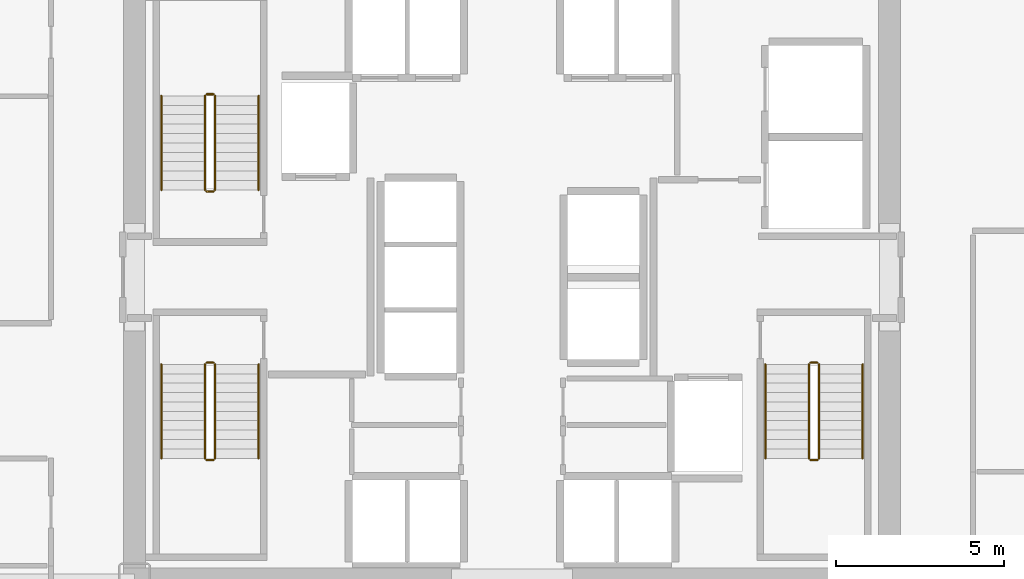
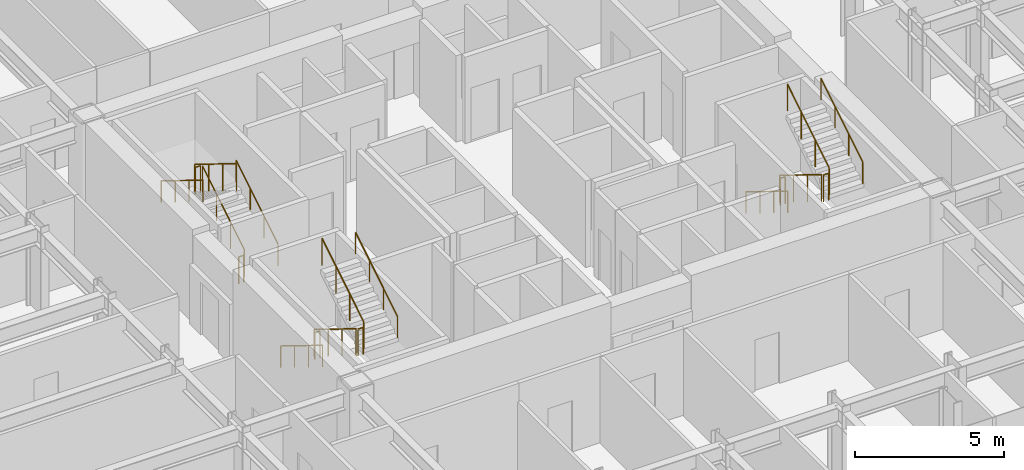
# One storey, part 25 of 25: 18 railings.
"""IFC4 building model written with IfcOpenShell, lengths in metres."""

from ifc_helpers import new_model, si_unit, direction, frame, origin, origin_2d, place, context, subcontext, project, spatial, circle, extrude, material, type_object, element, save


model = new_model("IFC4")

# Units and contexts
model_context = context("Model", 3, precision=1e-05, world=origin(), true_north=direction((0.0, 1.0)))
body_context = subcontext(model_context, "Body", "Model", "MODEL_VIEW")
ifc_project = project(units=[si_unit("LENGTHUNIT", "METRE"), si_unit("AREAUNIT", "SQUARE_METRE"), si_unit("VOLUMEUNIT", "CUBIC_METRE"), si_unit("PLANEANGLEUNIT", "RADIAN"), si_unit("MASSUNIT", "GRAM", prefix="KILO")], contexts=[model_context])

# Site, building, storey
site_placement = place(None, origin())
site = spatial("IfcSite", under=ifc_project, at=site_placement, CompositionType="ELEMENT")
building_placement = place(site_placement, origin())
building = spatial("IfcBuilding", under=site, at=building_placement, Name="Nefas-Gora Pilgrimage Tower", CompositionType="ELEMENT")
storey_placement = place(building_placement, frame((0.0, 0.0, 71.0)))
storey = spatial("IfcBuildingStorey", under=building, at=storey_placement, Name="L16", CompositionType="ELEMENT", Elevation=71.0)

# Railings
ifc_material_1 = material(Name="Painted galvanised steel", Category="steel")
railing_type_1 = type_object("IfcRailingType", Name="RLG-STR-GUARD-1100", PredefinedType="GUARDRAIL", material=ifc_material_1)
railing_1_placement = place(storey_placement, frame((-8.85009765625, 2.60009765625, 0.172607421875)))
element("IfcRailing", 1, at=railing_1_placement, inside=storey, type_object=railing_type_1, Name="L16 ST-01 stair guard 1", PredefinedType="GUARDRAIL", context=body_context, shape_type="SweptSolid", body=[
    extrude(circle(Radius=0.02392578125, at=origin_2d()), frame((0.0, 0.0, 1.09619140625), z_axis=(0.0, 0.851069175582, 0.525053576669), x_axis=(-1.0, 0.0, 0.0)), (0.0, 0.0, 1.0), 3.289794921875),
    extrude(circle(Radius=0.02099609375, at=origin_2d()), origin(), (0.0, 0.0, 1.0), 1.072021484375),
    extrude(circle(Radius=0.02099609375, at=origin_2d()), frame((0.0, 0.933349609375, 0.57568359375)), (0.0, 0.0, 1.0), 1.072021484375),
    extrude(circle(Radius=0.02099609375, at=origin_2d()), frame((0.0, 1.866455078125, 1.151611328125)), (0.0, 0.0, 1.0), 1.072021484375),
    extrude(circle(Radius=0.02099609375, at=origin_2d()), frame((0.0, 2.7998046875, 1.727294921875)), (0.0, 0.0, 1.0), 1.072021484375),
])
railing_2_placement = place(storey_placement, frame((-8.89990234375, 5.449951171875, 1.89990234375)))
element("IfcRailing", 2, at=railing_2_placement, inside=storey, type_object=railing_type_1, Name="L16 ST-01 stair guard 2", PredefinedType="GUARDRAIL", context=body_context, shape_type="SweptSolid", body=[
    extrude(circle(Radius=0.02392578125, at=origin_2d()), frame((0.0, 0.0, 1.09619140625), z_axis=(-1.0, 0.0, 0.0), x_axis=(0.0, -1.0, 0.0)), (0.0, 0.0, 1.0), 0.2001953125),
    extrude(circle(Radius=0.02099609375, at=origin_2d()), origin(), (0.0, 0.0, 1.0), 1.072021484375),
    extrude(circle(Radius=0.02099609375, at=origin_2d()), frame((-0.2001953125, 0.0, 0.0)), (0.0, 0.0, 1.0), 1.072021484375),
])
railing_3_placement = place(storey_placement, frame((-9.14990234375, 5.39990234375, 2.07275390625)))
element("IfcRailing", 3, at=railing_3_placement, inside=storey, type_object=railing_type_1, Name="L16 ST-01 stair guard 3", PredefinedType="GUARDRAIL", context=body_context, shape_type="SweptSolid", body=[
    extrude(circle(Radius=0.02392578125, at=origin_2d()), frame((0.0, 0.0, 1.09619140625), z_axis=(0.0, -0.851069175582, 0.525053576669), x_axis=(1.0, 0.0, 0.0)), (0.0, 0.0, 1.0), 3.289794921875),
    extrude(circle(Radius=0.02099609375, at=origin_2d()), origin(), (0.0, 0.0, 1.0), 1.072021484375),
    extrude(circle(Radius=0.02099609375, at=origin_2d()), frame((0.0, -0.933349609375, 0.57568359375)), (0.0, 0.0, 1.0), 1.072021484375),
    extrude(circle(Radius=0.02099609375, at=origin_2d()), frame((0.0, -1.866455078125, 1.151611328125)), (0.0, 0.0, 1.0), 1.072021484375),
    extrude(circle(Radius=0.02099609375, at=origin_2d()), frame((0.0, -2.7998046875, 1.727294921875)), (0.0, 0.0, 1.0), 1.072021484375),
])
railing_4_placement = place(storey_placement, frame((-8.89990234375, 2.550048828125, 0.0)))
element("IfcRailing", 4, at=railing_4_placement, inside=storey, type_object=railing_type_1, Name="L16 ST-01 stair guard 4", PredefinedType="GUARDRAIL", context=body_context, shape_type="SweptSolid", body=[
    extrude(circle(Radius=0.02392578125, at=origin_2d()), frame((0.0, 0.0, 1.09619140625), z_axis=(-1.0, 0.0, 0.0), x_axis=(0.0, -1.0, 0.0)), (0.0, 0.0, 1.0), 0.2001953125),
    extrude(circle(Radius=0.02099609375, at=origin_2d()), origin(), (0.0, 0.0, 1.0), 1.072021484375),
    extrude(circle(Radius=0.02099609375, at=origin_2d()), frame((-0.2001953125, 0.0, 0.0)), (0.0, 0.0, 1.0), 1.072021484375),
])
railing_5_placement = place(storey_placement, frame((8.85009765625, -2.60009765625, 0.172607421875)))
element("IfcRailing", 5, at=railing_5_placement, inside=storey, type_object=railing_type_1, Name="L16 ST-02 stair guard 1", PredefinedType="GUARDRAIL", context=body_context, shape_type="SweptSolid", body=[
    extrude(circle(Radius=0.02392578125, at=origin_2d()), frame((0.0, 0.0, 1.09619140625), z_axis=(0.0, -0.851069175582, 0.525053576669), x_axis=(1.0, 0.0, 0.0)), (0.0, 0.0, 1.0), 3.289794921875),
    extrude(circle(Radius=0.02099609375, at=origin_2d()), origin(), (0.0, 0.0, 1.0), 1.072021484375),
    extrude(circle(Radius=0.02099609375, at=origin_2d()), frame((0.0, -0.933349609375, 0.57568359375)), (0.0, 0.0, 1.0), 1.072021484375),
    extrude(circle(Radius=0.02099609375, at=origin_2d()), frame((0.0, -1.866455078125, 1.151611328125)), (0.0, 0.0, 1.0), 1.072021484375),
    extrude(circle(Radius=0.02099609375, at=origin_2d()), frame((0.0, -2.7998046875, 1.727294921875)), (0.0, 0.0, 1.0), 1.072021484375),
])
railing_6_placement = place(storey_placement, frame((8.89990234375, -5.449951171875, 1.89990234375)))
element("IfcRailing", 6, at=railing_6_placement, inside=storey, type_object=railing_type_1, Name="L16 ST-02 stair guard 2", PredefinedType="GUARDRAIL", context=body_context, shape_type="SweptSolid", body=[
    extrude(circle(Radius=0.02392578125, at=origin_2d()), frame((0.0, 0.0, 1.09619140625), z_axis=(1.0, 0.0, 0.0), x_axis=(0.0, 1.0, 0.0)), (0.0, 0.0, 1.0), 0.2001953125),
    extrude(circle(Radius=0.02099609375, at=origin_2d()), origin(), (0.0, 0.0, 1.0), 1.072021484375),
    extrude(circle(Radius=0.02099609375, at=origin_2d()), frame((0.2001953125, 0.0, 0.0)), (0.0, 0.0, 1.0), 1.072021484375),
])
railing_7_placement = place(storey_placement, frame((9.14990234375, -5.39990234375, 2.07275390625)))
element("IfcRailing", 7, at=railing_7_placement, inside=storey, type_object=railing_type_1, Name="L16 ST-02 stair guard 3", PredefinedType="GUARDRAIL", context=body_context, shape_type="SweptSolid", body=[
    extrude(circle(Radius=0.02392578125, at=origin_2d()), frame((0.0, 0.0, 1.09619140625), z_axis=(0.0, 0.851069175582, 0.525053576669), x_axis=(-1.0, 0.0, 0.0)), (0.0, 0.0, 1.0), 3.289794921875),
    extrude(circle(Radius=0.02099609375, at=origin_2d()), origin(), (0.0, 0.0, 1.0), 1.072021484375),
    extrude(circle(Radius=0.02099609375, at=origin_2d()), frame((0.0, 0.933349609375, 0.57568359375)), (0.0, 0.0, 1.0), 1.072021484375),
    extrude(circle(Radius=0.02099609375, at=origin_2d()), frame((0.0, 1.866455078125, 1.151611328125)), (0.0, 0.0, 1.0), 1.072021484375),
    extrude(circle(Radius=0.02099609375, at=origin_2d()), frame((0.0, 2.7998046875, 1.727294921875)), (0.0, 0.0, 1.0), 1.072021484375),
])
railing_8_placement = place(storey_placement, frame((8.89990234375, -2.550048828125, 0.0)))
element("IfcRailing", 8, at=railing_8_placement, inside=storey, type_object=railing_type_1, Name="L16 ST-02 stair guard 4", PredefinedType="GUARDRAIL", context=body_context, shape_type="SweptSolid", body=[
    extrude(circle(Radius=0.02392578125, at=origin_2d()), frame((0.0, 0.0, 1.09619140625), z_axis=(1.0, 0.0, 0.0), x_axis=(0.0, 1.0, 0.0)), (0.0, 0.0, 1.0), 0.2001953125),
    extrude(circle(Radius=0.02099609375, at=origin_2d()), origin(), (0.0, 0.0, 1.0), 1.072021484375),
    extrude(circle(Radius=0.02099609375, at=origin_2d()), frame((0.2001953125, 0.0, 0.0)), (0.0, 0.0, 1.0), 1.072021484375),
])
railing_9_placement = place(storey_placement, frame((-9.14990234375, -2.60009765625, 0.172607421875)))
element("IfcRailing", 9, at=railing_9_placement, inside=storey, type_object=railing_type_1, Name="L16 ST-03 stair guard 1", PredefinedType="GUARDRAIL", context=body_context, shape_type="SweptSolid", body=[
    extrude(circle(Radius=0.02392578125, at=origin_2d()), frame((0.0, 0.0, 1.09619140625), z_axis=(0.0, -0.851069175582, 0.525053576669), x_axis=(1.0, 0.0, 0.0)), (0.0, 0.0, 1.0), 3.289794921875),
    extrude(circle(Radius=0.02099609375, at=origin_2d()), origin(), (0.0, 0.0, 1.0), 1.072021484375),
    extrude(circle(Radius=0.02099609375, at=origin_2d()), frame((0.0, -0.933349609375, 0.57568359375)), (0.0, 0.0, 1.0), 1.072021484375),
    extrude(circle(Radius=0.02099609375, at=origin_2d()), frame((0.0, -1.866455078125, 1.151611328125)), (0.0, 0.0, 1.0), 1.072021484375),
    extrude(circle(Radius=0.02099609375, at=origin_2d()), frame((0.0, -2.7998046875, 1.727294921875)), (0.0, 0.0, 1.0), 1.072021484375),
])
railing_10_placement = place(storey_placement, frame((-9.10009765625, -5.449951171875, 1.89990234375)))
element("IfcRailing", 10, at=railing_10_placement, inside=storey, type_object=railing_type_1, Name="L16 ST-03 stair guard 2", PredefinedType="GUARDRAIL", context=body_context, shape_type="SweptSolid", body=[
    extrude(circle(Radius=0.02392578125, at=origin_2d()), frame((0.0, 0.0, 1.09619140625), z_axis=(1.0, 0.0, 0.0), x_axis=(0.0, 1.0, 0.0)), (0.0, 0.0, 1.0), 0.2001953125),
    extrude(circle(Radius=0.02099609375, at=origin_2d()), origin(), (0.0, 0.0, 1.0), 1.072021484375),
    extrude(circle(Radius=0.02099609375, at=origin_2d()), frame((0.2001953125, 0.0, 0.0)), (0.0, 0.0, 1.0), 1.072021484375),
])
railing_11_placement = place(storey_placement, frame((-8.85009765625, -5.39990234375, 2.07275390625)))
element("IfcRailing", 11, at=railing_11_placement, inside=storey, type_object=railing_type_1, Name="L16 ST-03 stair guard 3", PredefinedType="GUARDRAIL", context=body_context, shape_type="SweptSolid", body=[
    extrude(circle(Radius=0.02392578125, at=origin_2d()), frame((0.0, 0.0, 1.09619140625), z_axis=(0.0, 0.851069175582, 0.525053576669), x_axis=(-1.0, 0.0, 0.0)), (0.0, 0.0, 1.0), 3.289794921875),
    extrude(circle(Radius=0.02099609375, at=origin_2d()), origin(), (0.0, 0.0, 1.0), 1.072021484375),
    extrude(circle(Radius=0.02099609375, at=origin_2d()), frame((0.0, 0.933349609375, 0.57568359375)), (0.0, 0.0, 1.0), 1.072021484375),
    extrude(circle(Radius=0.02099609375, at=origin_2d()), frame((0.0, 1.866455078125, 1.151611328125)), (0.0, 0.0, 1.0), 1.072021484375),
    extrude(circle(Radius=0.02099609375, at=origin_2d()), frame((0.0, 2.7998046875, 1.727294921875)), (0.0, 0.0, 1.0), 1.072021484375),
])
railing_12_placement = place(storey_placement, frame((-9.10009765625, -2.550048828125, 0.0)))
element("IfcRailing", 12, at=railing_12_placement, inside=storey, type_object=railing_type_1, Name="L16 ST-03 stair guard 4", PredefinedType="GUARDRAIL", context=body_context, shape_type="SweptSolid", body=[
    extrude(circle(Radius=0.02392578125, at=origin_2d()), frame((0.0, 0.0, 1.09619140625), z_axis=(1.0, 0.0, 0.0), x_axis=(0.0, 1.0, 0.0)), (0.0, 0.0, 1.0), 0.2001953125),
    extrude(circle(Radius=0.02099609375, at=origin_2d()), origin(), (0.0, 0.0, 1.0), 1.072021484375),
    extrude(circle(Radius=0.02099609375, at=origin_2d()), frame((0.2001953125, 0.0, 0.0)), (0.0, 0.0, 1.0), 1.072021484375),
])
ifc_material_2 = material(Name="Brushed stainless steel", Category="steel")
railing_type_2 = type_object("IfcRailingType", Name="RLG-STR-HAND-900", PredefinedType="HANDRAIL", material=ifc_material_2)
railing_13_placement = place(storey_placement, frame((-7.550048828125, 2.60009765625, 0.172607421875)))
element("IfcRailing", 13, at=railing_13_placement, inside=storey, type_object=railing_type_2, Name="L16 ST-01 stair handrail 1", PredefinedType="HANDRAIL", context=body_context, shape_type="SweptSolid", body=[
    extrude(circle(Radius=0.02392578125, at=origin_2d()), frame((0.0, 0.0, 0.8759765625), z_axis=(0.0, 0.851069175582, 0.525053576669), x_axis=(-1.0, 0.0, 0.0)), (0.0, 0.0, 1.0), 3.289794921875),
    extrude(circle(Radius=0.02099609375, at=origin_2d()), origin(), (0.0, 0.0, 1.0), 0.851806640625),
    extrude(circle(Radius=0.02099609375, at=origin_2d()), frame((0.0, 0.933349609375, 0.57568359375)), (0.0, 0.0, 1.0), 0.851806640625),
    extrude(circle(Radius=0.02099609375, at=origin_2d()), frame((0.0, 1.866455078125, 1.151611328125)), (0.0, 0.0, 1.0), 0.851806640625),
    extrude(circle(Radius=0.02099609375, at=origin_2d()), frame((0.0, 2.7998046875, 1.727294921875)), (0.0, 0.0, 1.0), 0.851806640625),
])
for number, where, name in (
    (14, (-10.449951171875, 5.39990234375, 2.07275390625), "L16 ST-01 stair handrail 2"),
    (15, (7.550048828125, -2.60009765625, 0.172607421875), "L16 ST-02 stair handrail 1"),
):
    element("IfcRailing", number, at=place(storey_placement, frame(where)), inside=storey, type_object=railing_type_2, Name=name, PredefinedType="HANDRAIL", context=body_context, shape_type="SweptSolid", body=[
        extrude(circle(Radius=0.02392578125, at=origin_2d()), frame((0.0, 0.0, 0.8759765625), z_axis=(0.0, -0.851069175582, 0.525053576669), x_axis=(1.0, 0.0, 0.0)), (0.0, 0.0, 1.0), 3.289794921875),
        extrude(circle(Radius=0.02099609375, at=origin_2d()), origin(), (0.0, 0.0, 1.0), 0.851806640625),
        extrude(circle(Radius=0.02099609375, at=origin_2d()), frame((0.0, -0.933349609375, 0.57568359375)), (0.0, 0.0, 1.0), 0.851806640625),
        extrude(circle(Radius=0.02099609375, at=origin_2d()), frame((0.0, -1.866455078125, 1.151611328125)), (0.0, 0.0, 1.0), 0.851806640625),
        extrude(circle(Radius=0.02099609375, at=origin_2d()), frame((0.0, -2.7998046875, 1.727294921875)), (0.0, 0.0, 1.0), 0.851806640625),
    ])
railing_14_placement = place(storey_placement, frame((10.449951171875, -5.39990234375, 2.07275390625)))
element("IfcRailing", 16, at=railing_14_placement, inside=storey, type_object=railing_type_2, Name="L16 ST-02 stair handrail 2", PredefinedType="HANDRAIL", context=body_context, shape_type="SweptSolid", body=[
    extrude(circle(Radius=0.02392578125, at=origin_2d()), frame((0.0, 0.0, 0.8759765625), z_axis=(0.0, 0.851069175582, 0.525053576669), x_axis=(-1.0, 0.0, 0.0)), (0.0, 0.0, 1.0), 3.289794921875),
    extrude(circle(Radius=0.02099609375, at=origin_2d()), origin(), (0.0, 0.0, 1.0), 0.851806640625),
    extrude(circle(Radius=0.02099609375, at=origin_2d()), frame((0.0, 0.933349609375, 0.57568359375)), (0.0, 0.0, 1.0), 0.851806640625),
    extrude(circle(Radius=0.02099609375, at=origin_2d()), frame((0.0, 1.866455078125, 1.151611328125)), (0.0, 0.0, 1.0), 0.851806640625),
    extrude(circle(Radius=0.02099609375, at=origin_2d()), frame((0.0, 2.7998046875, 1.727294921875)), (0.0, 0.0, 1.0), 0.851806640625),
])
railing_15_placement = place(storey_placement, frame((-10.449951171875, -2.60009765625, 0.172607421875)))
element("IfcRailing", 17, at=railing_15_placement, inside=storey, type_object=railing_type_2, Name="L16 ST-03 stair handrail 1", PredefinedType="HANDRAIL", context=body_context, shape_type="SweptSolid", body=[
    extrude(circle(Radius=0.02392578125, at=origin_2d()), frame((0.0, 0.0, 0.8759765625), z_axis=(0.0, -0.851069175582, 0.525053576669), x_axis=(1.0, 0.0, 0.0)), (0.0, 0.0, 1.0), 3.289794921875),
    extrude(circle(Radius=0.02099609375, at=origin_2d()), origin(), (0.0, 0.0, 1.0), 0.851806640625),
    extrude(circle(Radius=0.02099609375, at=origin_2d()), frame((0.0, -0.933349609375, 0.57568359375)), (0.0, 0.0, 1.0), 0.851806640625),
    extrude(circle(Radius=0.02099609375, at=origin_2d()), frame((0.0, -1.866455078125, 1.151611328125)), (0.0, 0.0, 1.0), 0.851806640625),
    extrude(circle(Radius=0.02099609375, at=origin_2d()), frame((0.0, -2.7998046875, 1.727294921875)), (0.0, 0.0, 1.0), 0.851806640625),
])
railing_16_placement = place(storey_placement, frame((-7.550048828125, -5.39990234375, 2.07275390625)))
element("IfcRailing", 18, at=railing_16_placement, inside=storey, type_object=railing_type_2, Name="L16 ST-03 stair handrail 2", PredefinedType="HANDRAIL", context=body_context, shape_type="SweptSolid", body=[
    extrude(circle(Radius=0.02392578125, at=origin_2d()), frame((0.0, 0.0, 0.8759765625), z_axis=(0.0, 0.851069175582, 0.525053576669), x_axis=(-1.0, 0.0, 0.0)), (0.0, 0.0, 1.0), 3.289794921875),
    extrude(circle(Radius=0.02099609375, at=origin_2d()), origin(), (0.0, 0.0, 1.0), 0.851806640625),
    extrude(circle(Radius=0.02099609375, at=origin_2d()), frame((0.0, 0.933349609375, 0.57568359375)), (0.0, 0.0, 1.0), 0.851806640625),
    extrude(circle(Radius=0.02099609375, at=origin_2d()), frame((0.0, 1.866455078125, 1.151611328125)), (0.0, 0.0, 1.0), 0.851806640625),
    extrude(circle(Radius=0.02099609375, at=origin_2d()), frame((0.0, 2.7998046875, 1.727294921875)), (0.0, 0.0, 1.0), 0.851806640625),
])

save(model, "model.ifc")
